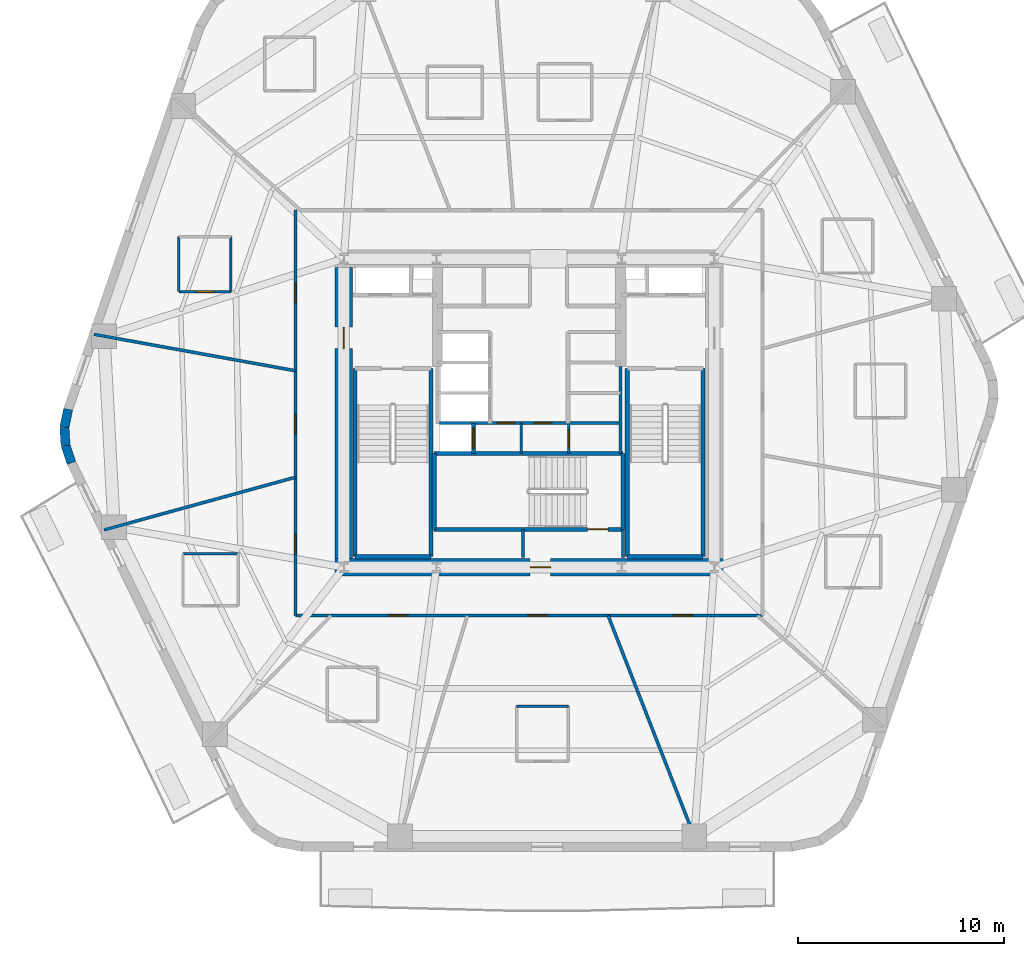
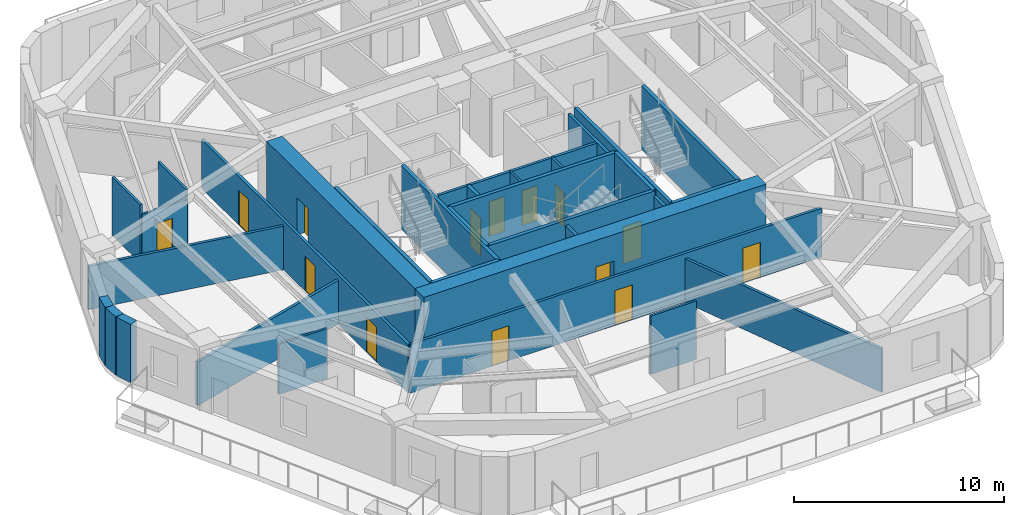
# One storey, part 3 of 9: 32 walls, 14 doors, 14 openings.
"""IFC4 building model written with IfcOpenShell, lengths in metres."""

from ifc_helpers import new_model, si_unit, direction, frame, frame_2d, origin, place, context, subcontext, project, spatial, rectangle, extrude, material, layer, layer_set, type_object, element, fill, save


model = new_model("IFC4")

# Units and contexts
model_context = context("Model", 3, precision=1e-05, world=origin(), true_north=direction((0.0, 1.0)))
body_context = subcontext(model_context, "Body", "Model", "MODEL_VIEW")
ifc_project = project(units=[si_unit("LENGTHUNIT", "METRE"), si_unit("AREAUNIT", "SQUARE_METRE"), si_unit("VOLUMEUNIT", "CUBIC_METRE"), si_unit("PLANEANGLEUNIT", "RADIAN"), si_unit("MASSUNIT", "GRAM", prefix="KILO")], contexts=[model_context])

# Site, building, storey
site_placement = place(None, origin())
site = spatial("IfcSite", under=ifc_project, at=site_placement, CompositionType="ELEMENT")
building_placement = place(site_placement, origin())
building = spatial("IfcBuilding", under=site, at=building_placement, Name="Kilnhurst Terrace Hotel", CompositionType="ELEMENT")
storey_placement = place(building_placement, frame((0.0, 0.0, 128.39990234375)))
storey = spatial("IfcBuildingStorey", under=building, at=storey_placement, Name="L31", CompositionType="ELEMENT", Elevation=128.39990234375)

# Walls
ifc_material_1 = material(Name="Precast concrete C40/50", Category="concrete")
ifc_layer_1 = layer(ifc_material_1, 0.449951171875, Name="Precast concrete C40/50")
ifc_layer_set_1 = layer_set([ifc_layer_1], Name="Precast concrete C40/50")
wall_type_1 = type_object("IfcWallType", Name="WL-BRK-450", PredefinedType="SOLIDWALL", material=ifc_layer_set_1)
wall_1_placement = place(storey_placement, frame((-22.39697265625, 0.17919921875, 0.0), z_axis=(0.0, 0.0, 1.0), x_axis=(-0.199313589404, -0.979935759669, 0.0)))
element("IfcWall", 1, at=wall_1_placement, inside=storey, type_object=wall_type_1, Name="L31 Rounded Corner Brick Wall C6.1", PredefinedType="SOLIDWALL", context=body_context, shape_type="SweptSolid", body=[
    extrude(rectangle(XDim=0.8955078125, YDim=0.449951171875, at=frame_2d((0.44775390625, 0.0))), origin(), (0.0, 0.0, 1.0), 3.400146484375),
])
wall_2_placement = place(storey_placement, frame((-22.575439453125, -0.6982421875, 0.0), z_axis=(0.0, 0.0, 1.0), x_axis=(0.060980441946, -0.998138961117, 0.0)))
element("IfcWall", 2, at=wall_2_placement, inside=storey, type_object=wall_type_1, Name="L31 Rounded Corner Brick Wall C6.2", PredefinedType="SOLIDWALL", context=body_context, shape_type="SweptSolid", body=[
    extrude(rectangle(XDim=0.880859375, YDim=0.449951171875, at=frame_2d((0.4404296875, 0.0))), origin(), (0.0, 0.0, 1.0), 3.400146484375),
])
wall_3_placement = place(storey_placement, frame((-22.521728515625, -1.577392578125, 0.0), z_axis=(0.0, 0.0, 1.0), x_axis=(0.317372694837, -0.948300887151, 0.0)))
element("IfcWall", 3, at=wall_3_placement, inside=storey, type_object=wall_type_1, Name="L31 Rounded Corner Brick Wall C6.3", PredefinedType="SOLIDWALL", context=body_context, shape_type="SweptSolid", body=[
    extrude(rectangle(XDim=0.8955078125, YDim=0.449951171875, at=frame_2d((0.44775390625, 0.0))), origin(), (0.0, 0.0, 1.0), 3.400146484375),
])

# Wall, openings, doors
ifc_material_2 = material(Name="Acoustic Double-Gypsum Corridor Partition Assembly")
ifc_layer_2 = layer(ifc_material_2, 0.14990234375, Name="Acoustic Double-Gypsum Corridor Partition Assembly")
ifc_layer_set_2 = layer_set([ifc_layer_2], Name="Acoustic Double-Gypsum Corridor Partition Assembly")
wall_type_2 = type_object("IfcWallType", Name="WL-COR-150", PredefinedType="PARTITIONING", material=ifc_layer_set_2)
wall_4_placement = place(storey_placement, frame((-11.35009765625, -9.85009765625, 0.0), z_axis=(0.0, 0.0, 1.0), x_axis=(0.0, 1.0, 0.0)))
wall_4 = element("IfcWall", 4, at=wall_4_placement, inside=storey, type_object=wall_type_2, Name="L31 Interior Wall WL-L31-COR-01", PredefinedType="PARTITIONING", context=body_context, shape_type="SweptSolid", body=[
    extrude(rectangle(XDim=19.7001953125, YDim=0.14990234375, at=frame_2d((9.85009765625, 0.0))), origin(), (0.0, 0.0, 1.0), 2.840087890625),
])
opening_1_placement = place(wall_4_placement, frame((15.205078125, 0.0, 0.0)))
opening_1 = element("IfcOpeningElement", 5, at=opening_1_placement, cuts=wall_4, Name="Opening D-60B", PredefinedType="OPENING", context=body_context, shape_type="SweptSolid", body=[
    extrude(rectangle(XDim=0.949951171875, YDim=2.030029296875, at=frame_2d((0.47509765625, 1.01513671875))), frame((0.0, 0.0849609375, 0.0), z_axis=(0.0, -1.0, 0.0), x_axis=(1.0, 0.0, 0.0)), (0.0, 0.0, 1.0), 0.169921875),
])
opening_2_placement = place(wall_4_placement, frame((8.8359375, 0.0, 0.0)))
opening_2 = element("IfcOpeningElement", 6, at=opening_2_placement, cuts=wall_4, Name="Opening D-60B", PredefinedType="OPENING", context=body_context, shape_type="SweptSolid", body=[
    extrude(rectangle(XDim=0.949951171875, YDim=2.030029296875, at=frame_2d((0.47509765625, 1.01513671875))), frame((0.0, 0.0849609375, 0.0), z_axis=(0.0, -1.0, 0.0), x_axis=(1.0, 0.0, 0.0)), (0.0, 0.0, 1.0), 0.169921875),
])
opening_3_placement = place(wall_4_placement, frame((3.008056640625, 0.0, 0.0)))
opening_3 = element("IfcOpeningElement", 7, at=opening_3_placement, cuts=wall_4, Name="Opening D-60B", PredefinedType="OPENING", context=body_context, shape_type="SweptSolid", body=[
    extrude(rectangle(XDim=0.949951171875, YDim=2.030029296875, at=frame_2d((0.47509765625, 1.01513671875))), frame((0.0, 0.0849609375, 0.0), z_axis=(0.0, -1.0, 0.0), x_axis=(1.0, 0.0, 0.0)), (0.0, 0.0, 1.0), 0.169921875),
])
ifc_material_3 = material(Name="Acoustic Walnut Veneer Solid-Core Fire Door")
door_type_1 = type_object("IfcDoorType", Name="DR-FD60-950", OperationType="NOTDEFINED", PredefinedType="DOOR", material=ifc_material_3)
door_1_placement = place(opening_1_placement, origin())
door_1 = element("IfcDoor", 8, at=door_1_placement, inside=storey, type_object=door_type_1, Name="L31 Executive Suite Entry Door 6", OperationType="SINGLE_SWING_RIGHT", OverallHeight=2.030029296875, OverallWidth=0.949951171875, PredefinedType="DOOR", context=body_context, shape_type="SweptSolid", body=[
    extrude(rectangle(XDim=0.949951171875, YDim=2.030029296875, at=frame_2d((0.47509765625, 1.01513671875))), frame((0.0, 0.02490234375, 0.0), z_axis=(0.0, -1.0, 0.0), x_axis=(1.0, 0.0, 0.0)), (0.0, 0.0, 1.0), 0.050048828125),
])
fill(opening_1, door_1)
door_2_placement = place(opening_2_placement, origin())
door_2 = element("IfcDoor", 9, at=door_2_placement, inside=storey, type_object=door_type_1, Name="L31 Executive Boardroom Door", OperationType="SINGLE_SWING_LEFT", OverallHeight=2.030029296875, OverallWidth=0.949951171875, PredefinedType="DOOR", context=body_context, shape_type="SweptSolid", body=[
    extrude(rectangle(XDim=0.949951171875, YDim=2.030029296875, at=frame_2d((0.47509765625, 1.01513671875))), frame((0.0, 0.02490234375, 0.0), z_axis=(0.0, -1.0, 0.0), x_axis=(1.0, 0.0, 0.0)), (0.0, 0.0, 1.0), 0.050048828125),
])
fill(opening_2, door_2)
door_3_placement = place(opening_3_placement, origin())
door_3 = element("IfcDoor", 10, at=door_3_placement, inside=storey, type_object=door_type_1, Name="L31 Executive Suite Entry Door 8", OperationType="SINGLE_SWING_RIGHT", OverallHeight=2.030029296875, OverallWidth=0.949951171875, PredefinedType="DOOR", context=body_context, shape_type="SweptSolid", body=[
    extrude(rectangle(XDim=0.949951171875, YDim=2.030029296875, at=frame_2d((0.47509765625, 1.01513671875))), frame((0.0, 0.02490234375, 0.0), z_axis=(0.0, -1.0, 0.0), x_axis=(1.0, 0.0, 0.0)), (0.0, 0.0, 1.0), 0.050048828125),
])
fill(opening_3, door_3)

wall_5_placement = place(storey_placement, frame((11.35009765625, -9.85009765625, 0.0), z_axis=(0.0, 0.0, 1.0), x_axis=(-1.0, 0.0, 0.0)))
wall_5 = element("IfcWall", 11, at=wall_5_placement, inside=storey, type_object=wall_type_2, Name="L31 Interior Wall WL-L31-COR-04", PredefinedType="PARTITIONING", context=body_context, shape_type="SweptSolid", body=[
    extrude(rectangle(XDim=22.7001953125, YDim=0.14990234375, at=frame_2d((11.35009765625, 0.0))), origin(), (0.0, 0.0, 1.0), 2.840087890625),
])
opening_4_placement = place(wall_5_placement, frame((17.237060546875, 0.0, 0.0)))
opening_4 = element("IfcOpeningElement", 12, at=opening_4_placement, cuts=wall_5, Name="Opening D-60B", PredefinedType="OPENING", context=body_context, shape_type="SweptSolid", body=[
    extrude(rectangle(XDim=0.949951171875, YDim=2.030029296875, at=frame_2d((0.47509765625, 1.01513671875))), frame((0.0, 0.0849609375, 0.0), z_axis=(0.0, -1.0, 0.0), x_axis=(1.0, 0.0, 0.0)), (0.0, 0.0, 1.0), 0.169921875),
])
opening_5_placement = place(wall_5_placement, frame((10.449951171875, 0.0, 0.0)))
opening_5 = element("IfcOpeningElement", 13, at=opening_5_placement, cuts=wall_5, Name="Opening D-60B", PredefinedType="OPENING", context=body_context, shape_type="SweptSolid", body=[
    extrude(rectangle(XDim=0.949951171875, YDim=2.030029296875, at=frame_2d((0.47509765625, 1.01513671875))), frame((0.0, 0.0849609375, 0.0), z_axis=(0.0, -1.0, 0.0), x_axis=(1.0, 0.0, 0.0)), (0.0, 0.0, 1.0), 0.169921875),
])
opening_6_placement = place(wall_5_placement, frame((3.39892578125, 0.0, 0.0)))
opening_6 = element("IfcOpeningElement", 14, at=opening_6_placement, cuts=wall_5, Name="Opening D-60B", PredefinedType="OPENING", context=body_context, shape_type="SweptSolid", body=[
    extrude(rectangle(XDim=0.949951171875, YDim=2.030029296875, at=frame_2d((0.47509765625, 1.01513671875))), frame((0.0, 0.0849609375, 0.0), z_axis=(0.0, -1.0, 0.0), x_axis=(1.0, 0.0, 0.0)), (0.0, 0.0, 1.0), 0.169921875),
])
door_4_placement = place(opening_4_placement, origin())
door_4 = element("IfcDoor", 15, at=door_4_placement, inside=storey, type_object=door_type_1, Name="L31 Executive Suite Entry Door 9", OperationType="SINGLE_SWING_LEFT", OverallHeight=2.030029296875, OverallWidth=0.949951171875, PredefinedType="DOOR", context=body_context, shape_type="SweptSolid", body=[
    extrude(rectangle(XDim=0.949951171875, YDim=2.030029296875, at=frame_2d((0.47509765625, 1.01513671875))), frame((0.0, 0.02490234375, 0.0), z_axis=(0.0, -1.0, 0.0), x_axis=(1.0, 0.0, 0.0)), (0.0, 0.0, 1.0), 0.050048828125),
])
fill(opening_4, door_4)
door_5_placement = place(opening_5_placement, origin())
door_5 = element("IfcDoor", 16, at=door_5_placement, inside=storey, type_object=door_type_1, Name="L31 Executive Suite Entry Door 10", OperationType="SINGLE_SWING_RIGHT", OverallHeight=2.030029296875, OverallWidth=0.949951171875, PredefinedType="DOOR", context=body_context, shape_type="SweptSolid", body=[
    extrude(rectangle(XDim=0.949951171875, YDim=2.030029296875, at=frame_2d((0.47509765625, 1.01513671875))), frame((0.0, 0.02490234375, 0.0), z_axis=(0.0, -1.0, 0.0), x_axis=(1.0, 0.0, 0.0)), (0.0, 0.0, 1.0), 0.050048828125),
])
fill(opening_5, door_5)
door_6_placement = place(opening_6_placement, origin())
door_6 = element("IfcDoor", 17, at=door_6_placement, inside=storey, type_object=door_type_1, Name="L31 Private Dining Room Door", OperationType="SINGLE_SWING_LEFT", OverallHeight=2.030029296875, OverallWidth=0.949951171875, PredefinedType="DOOR", context=body_context, shape_type="SweptSolid", body=[
    extrude(rectangle(XDim=0.949951171875, YDim=2.030029296875, at=frame_2d((0.47509765625, 1.01513671875))), frame((0.0, 0.02490234375, 0.0), z_axis=(0.0, -1.0, 0.0), x_axis=(1.0, 0.0, 0.0)), (0.0, 0.0, 1.0), 0.050048828125),
])
fill(opening_6, door_6)

# Wall, opening, door
ifc_material_4 = material(Name="Concrete C80/95", Category="concrete")
ifc_layer_3 = layer(ifc_material_4, 0.85009765625, Name="Concrete C80/95")
ifc_layer_set_3 = layer_set([ifc_layer_3], Name="Concrete C80/95")
wall_type_3 = type_object("IfcWallType", Name="WL-CORE-850", PredefinedType="SHEAR", material=ifc_layer_set_3)
wall_6_placement = place(storey_placement, frame((-9.425048828125, -7.5, 0.0), z_axis=(0.0, 0.0, 1.0), x_axis=(1.0, 0.0, 0.0)))
wall_6 = element("IfcWall", 18, at=wall_6_placement, inside=storey, type_object=wall_type_3, Name="L31 Core South Shear Wall", PredefinedType="SHEAR", context=body_context, shape_type="SweptSolid", body=[
    extrude(rectangle(XDim=18.85009765625, YDim=0.85009765625, at=frame_2d((9.425048828125, 0.0))), origin(), (0.0, 0.0, 1.0), 3.7001953125),
])
opening_7_placement = place(wall_6_placement, frame((9.47509765625, 0.0, 0.0)))
opening_7 = element("IfcOpeningElement", 19, at=opening_7_placement, cuts=wall_6, Name="Opening D-90B", PredefinedType="OPENING", context=body_context, shape_type="SweptSolid", body=[
    extrude(rectangle(XDim=1.0, YDim=2.14990234375, at=frame_2d((0.5, 1.074951171875))), frame((0.0, 0.43505859375, 0.0), z_axis=(0.0, -1.0, 0.0), x_axis=(1.0, 0.0, 0.0)), (0.0, 0.0, 1.0), 0.8701171875),
])
ifc_material_5 = material(Name="Painted Hollow Metal Steel ASTM A36 Fire Door", Category="steel")
door_type_2 = type_object("IfcDoorType", Name="DR-FD90-1000", OperationType="NOTDEFINED", PredefinedType="DOOR", material=ifc_material_5)
door_7_placement = place(opening_7_placement, origin())
door_7 = element("IfcDoor", 20, at=door_7_placement, inside=storey, type_object=door_type_2, Name="L31 Stair ST-3 Corridor Door", OperationType="SINGLE_SWING_RIGHT", OverallHeight=2.14990234375, OverallWidth=1.0, PredefinedType="DOOR", context=body_context, shape_type="SweptSolid", body=[
    extrude(rectangle(XDim=1.0, YDim=2.14990234375, at=frame_2d((0.5, 1.074951171875))), frame((0.0, 0.02490234375, 0.0), z_axis=(0.0, -1.0, 0.0), x_axis=(1.0, 0.0, 0.0)), (0.0, 0.0, 1.0), 0.050048828125),
])
fill(opening_7, door_7)

wall_7_placement = place(storey_placement, frame((-9.0, -7.074951171875, 0.0), z_axis=(0.0, 0.0, 1.0), x_axis=(0.0, 1.0, 0.0)))
wall_7 = element("IfcWall", 21, at=wall_7_placement, inside=storey, type_object=wall_type_3, Name="L31 Core West Shear Wall", PredefinedType="SHEAR", context=body_context, shape_type="SweptSolid", body=[
    extrude(rectangle(XDim=14.14990234375, YDim=0.85009765625, at=frame_2d((7.074951171875, 0.0))), origin(), (0.0, 0.0, 1.0), 3.7001953125),
])
opening_8_placement = place(wall_7_placement, frame((10.199951171875, 0.0, 0.0)))
opening_8 = element("IfcOpeningElement", 22, at=opening_8_placement, cuts=wall_7, Name="Opening D-90A", PredefinedType="OPENING", context=body_context, shape_type="SweptSolid", body=[
    extrude(rectangle(XDim=1.050048828125, YDim=2.14990234375, at=frame_2d((0.52490234375, 1.074951171875))), frame((0.0, 0.43505859375, 0.0), z_axis=(0.0, -1.0, 0.0), x_axis=(1.0, 0.0, 0.0)), (0.0, 0.0, 1.0), 0.8701171875),
])
door_type_3 = type_object("IfcDoorType", Name="DR-FD90-1050", OperationType="NOTDEFINED", PredefinedType="DOOR", material=ifc_material_5)
door_8_placement = place(opening_8_placement, origin())
door_8 = element("IfcDoor", 23, at=door_8_placement, inside=storey, type_object=door_type_3, Name="L31 West Firefighting Lobby Door", OperationType="SINGLE_SWING_RIGHT", OverallHeight=2.14990234375, OverallWidth=1.050048828125, PredefinedType="DOOR", context=body_context, shape_type="SweptSolid", body=[
    extrude(rectangle(XDim=1.050048828125, YDim=2.14990234375, at=frame_2d((0.52490234375, 1.074951171875))), frame((0.0, 0.02490234375, 0.0), z_axis=(0.0, -1.0, 0.0), x_axis=(1.0, 0.0, 0.0)), (0.0, 0.0, 1.0), 0.050048828125),
])
fill(opening_8, door_8)

# Walls
ifc_material_6 = material(Name="STC-58 Acoustic Twin-Frame Guestroom Demising Partition")
ifc_layer_4 = layer(ifc_material_6, 0.14990234375, Name="STC-58 Acoustic Twin-Frame Guestroom Demising Partition")
ifc_layer_set_4 = layer_set([ifc_layer_4], Name="STC-58 Acoustic Twin-Frame Guestroom Demising Partition")
wall_type_4 = type_object("IfcWallType", Name="WL-DEM-150", PredefinedType="PARTITIONING", material=ifc_layer_set_4)
wall_8_placement = place(storey_placement, frame((-11.35009765625, 2.05078125, 0.0), z_axis=(0.0, 0.0, 1.0), x_axis=(-0.984068313063, 0.177790762484, 0.0)))
element("IfcWall", 24, at=wall_8_placement, inside=storey, type_object=wall_type_4, Name="L31 Interior Wall WL-L31-DEM-COL06-07-1", PredefinedType="PARTITIONING", context=body_context, shape_type="SweptSolid", body=[
    extrude(rectangle(XDim=9.951416015625, YDim=0.14990234375, at=frame_2d((4.9755859375, 0.0))), origin(), (0.0, 0.0, 1.0), 2.5400390625),
])
wall_9_placement = place(storey_placement, frame((-11.35009765625, -3.123291015625, 0.0), z_axis=(0.0, 0.0, 1.0), x_axis=(-0.964151983214, -0.265350623261, 0.0)))
element("IfcWall", 25, at=wall_9_placement, inside=storey, type_object=wall_type_4, Name="L31 Interior Wall WL-L31-DEM-COL07-08-1", PredefinedType="PARTITIONING", context=body_context, shape_type="SweptSolid", body=[
    extrude(rectangle(XDim=9.64501953125, YDim=0.14990234375, at=frame_2d((4.822509765625, 0.0))), origin(), (0.0, 0.0, 1.0), 2.5400390625),
])
wall_10_placement = place(storey_placement, frame((3.84228515625, -9.85009765625, 0.0), z_axis=(0.0, 0.0, 1.0), x_axis=(0.363432685593, -0.931620460833, 0.0)))
element("IfcWall", 26, at=wall_10_placement, inside=storey, type_object=wall_type_4, Name="L31 Interior Wall WL-L31-DEM-COL10-11-1", PredefinedType="PARTITIONING", context=body_context, shape_type="SweptSolid", body=[
    extrude(rectangle(XDim=12.048828125, YDim=0.14990234375, at=frame_2d((6.0244140625, 0.0))), origin(), (0.0, 0.0, 1.0), 2.5400390625),
])
ifc_material_7 = material(Name="120 mm Moisture-Resistant Tile-Backed Bathroom Partition")
ifc_layer_5 = layer(ifc_material_7, 0.1201171875, Name="120 mm Moisture-Resistant Tile-Backed Bathroom Partition")
ifc_layer_set_5 = layer_set([ifc_layer_5], Name="120 mm Moisture-Resistant Tile-Backed Bathroom Partition")
wall_type_5 = type_object("IfcWallType", Name="WL-PART-120", PredefinedType="PARTITIONING", material=ifc_layer_set_5)
wall_11_placement = place(storey_placement, frame((-0.3798828125, -1.971923828125, 0.0), z_axis=(0.0, 0.0, 1.0), x_axis=(0.0, 1.0, 0.0)))
element("IfcWall", 27, at=wall_11_placement, inside=storey, type_object=wall_type_5, Name="L31 Interior Wall WL-L31-BOH-C1", PredefinedType="PARTITIONING", context=body_context, shape_type="SweptSolid", body=[
    extrude(rectangle(XDim=1.471923828125, YDim=0.1201171875, at=frame_2d((0.73583984375, 0.0))), origin(), (0.0, 0.0, 1.0), 3.400146484375),
])

# Wall, opening, door
wall_12_placement = place(storey_placement, frame((1.919921875, -1.971923828125, 0.0), z_axis=(0.0, 0.0, 1.0), x_axis=(0.0, 1.0, 0.0)))
wall_12 = element("IfcWall", 28, at=wall_12_placement, inside=storey, type_object=wall_type_5, Name="L31 Interior Wall WL-L31-BOH-C2", PredefinedType="PARTITIONING", context=body_context, shape_type="SweptSolid", body=[
    extrude(rectangle(XDim=1.471923828125, YDim=0.1201171875, at=frame_2d((0.73583984375, 0.0))), origin(), (0.0, 0.0, 1.0), 3.400146484375),
])
opening_9_placement = place(wall_12_placement, frame((0.300048828125, 0.0, 0.0)))
opening_9 = element("IfcOpeningElement", 29, at=opening_9_placement, cuts=wall_12, Name="Opening D-08A", PredefinedType="OPENING", context=body_context, shape_type="SweptSolid", body=[
    extrude(rectangle(XDim=0.85009765625, YDim=2.030029296875, at=frame_2d((0.425048828125, 1.01513671875))), frame((0.0, 0.070068359375, 0.0), z_axis=(0.0, -1.0, 0.0), x_axis=(1.0, 0.0, 0.0)), (0.0, 0.0, 1.0), 0.14013671875),
])
ifc_material_8 = material(Name="Moisture-Resistant Lacquered En-suite Bathroom Door")
door_type_4 = type_object("IfcDoorType", Name="DR-INT-850", OperationType="NOTDEFINED", PredefinedType="DOOR", material=ifc_material_8)
door_9_placement = place(opening_9_placement, origin())
door_9 = element("IfcDoor", 30, at=door_9_placement, inside=storey, type_object=door_type_4, Name="L31 Staff Restroom Door", OperationType="SINGLE_SWING_RIGHT", OverallHeight=2.030029296875, OverallWidth=0.85009765625, PredefinedType="DOOR", context=body_context, shape_type="SweptSolid", body=[
    extrude(rectangle(XDim=0.85009765625, YDim=2.030029296875, at=frame_2d((0.425048828125, 1.01513671875))), frame((0.0, 0.02490234375, 0.0), z_axis=(0.0, -1.0, 0.0), x_axis=(1.0, 0.0, 0.0)), (0.0, 0.0, 1.0), 0.050048828125),
])
fill(opening_9, door_9)

wall_13_placement = place(storey_placement, frame((-17.013916015625, 5.889892578125, 0.0), z_axis=(0.0, 0.0, 1.0), x_axis=(1.0, 0.0, 0.0)))
wall_13 = element("IfcWall", 31, at=wall_13_placement, inside=storey, type_object=wall_type_5, Name="L31 Interior Wall WL-L31-BTH-06-1", PredefinedType="PARTITIONING", context=body_context, shape_type="SweptSolid", body=[
    extrude(rectangle(XDim=2.52001953125, YDim=0.1201171875, at=frame_2d((1.260009765625, 0.0))), origin(), (0.0, 0.0, 1.0), 2.840087890625),
])
opening_10_placement = place(wall_13_placement, frame((0.8349609375, 0.0, 0.0)))
opening_10 = element("IfcOpeningElement", 32, at=opening_10_placement, cuts=wall_13, Name="Opening D-08A", PredefinedType="OPENING", context=body_context, shape_type="SweptSolid", body=[
    extrude(rectangle(XDim=0.85009765625, YDim=2.030029296875, at=frame_2d((0.425048828125, 1.01513671875))), frame((0.0, 0.070068359375, 0.0), z_axis=(0.0, -1.0, 0.0), x_axis=(1.0, 0.0, 0.0)), (0.0, 0.0, 1.0), 0.14013671875),
])
door_10_placement = place(opening_10_placement, origin())
door_10 = element("IfcDoor", 33, at=door_10_placement, inside=storey, type_object=door_type_4, Name="L31 En-suite Bathroom Door 6", OperationType="SINGLE_SWING_LEFT", OverallHeight=2.030029296875, OverallWidth=0.85009765625, PredefinedType="DOOR", context=body_context, shape_type="SweptSolid", body=[
    extrude(rectangle(XDim=0.85009765625, YDim=2.030029296875, at=frame_2d((0.425048828125, 1.01513671875))), frame((0.0, 0.02490234375, 0.0), z_axis=(0.0, -1.0, 0.0), x_axis=(1.0, 0.0, 0.0)), (0.0, 0.0, 1.0), 0.050048828125),
])
fill(opening_10, door_10)

# Walls
for number, where, z_axis, x_axis, name in (
    (34, (-14.493896484375, 5.889892578125, 0.0), (0.0, 0.0, 1.0), (0.0, 1.0, 0.0), "L31 Interior Wall WL-L31-BTH-06-2"),
    (35, (-17.013916015625, 8.570068359375, 0.0), (0.0, 0.0, 1.0), (0.0, -1.0, 0.0), "L31 Interior Wall WL-L31-BTH-06-4"),
):
    element("IfcWall", number, at=place(storey_placement, frame(where, z_axis=z_axis, x_axis=x_axis)), inside=storey, type_object=wall_type_5, Name=name, PredefinedType="PARTITIONING", context=body_context, shape_type="SweptSolid", body=[
        extrude(rectangle(XDim=2.68017578125, YDim=0.1201171875, at=frame_2d((1.340087890625, 0.0))), origin(), (0.0, 0.0, 1.0), 3.400146484375),
    ])
wall_14_placement = place(storey_placement, frame((-14.135009765625, -6.8349609375, 0.0), z_axis=(0.0, 0.0, 1.0), x_axis=(-1.0, 0.0, 0.0)))
element("IfcWall", 36, at=wall_14_placement, inside=storey, type_object=wall_type_5, Name="L31 Interior Wall WL-L31-BTH-08-3", PredefinedType="PARTITIONING", context=body_context, shape_type="SweptSolid", body=[
    extrude(rectangle(XDim=2.679931640625, YDim=0.1201171875, at=frame_2d((1.33984375, 0.0))), origin(), (0.0, 0.0, 1.0), 2.926513671875),
])
wall_15_placement = place(storey_placement, frame((1.912109375, -14.2470703125, 0.0), z_axis=(0.0, 0.0, 1.0), x_axis=(-1.0, 0.0, 0.0)))
element("IfcWall", 37, at=wall_15_placement, inside=storey, type_object=wall_type_5, Name="L31 Interior Wall WL-L31-BTH-10-3", PredefinedType="PARTITIONING", context=body_context, shape_type="SweptSolid", body=[
    extrude(rectangle(XDim=2.52001953125, YDim=0.1201171875, at=frame_2d((1.260009765625, 0.0))), origin(), (0.0, 0.0, 1.0), 3.400146484375),
])
ifc_material_9 = material(Name="Fire-Rated Gypsum Shaftliner Assembly")
ifc_layer_6 = layer(ifc_material_9, 0.14990234375, Name="Fire-Rated Gypsum Shaftliner Assembly")
ifc_layer_set_6 = layer_set([ifc_layer_6], Name="Fire-Rated Gypsum Shaftliner Assembly")
wall_type_6 = type_object("IfcWallType", Name="WL-SHAFT-150", PredefinedType="PARTITIONING", material=ifc_layer_set_6)
for number, where, z_axis, x_axis, name in (
    (38, (-0.300048828125, -7.02001953125, 0.0), (0.0, 0.0, 1.0), (0.0, 1.0, 0.0), "L31 Interior Wall WL-L31-ST3-PSGW"),
    (39, (4.55810546875, -7.02001953125, 0.0), (0.0, 0.0, 1.0), (0.0, 1.0, 0.0), "L31 Interior Wall WL-L31-ST3-PSGE"),
):
    element("IfcWall", number, at=place(storey_placement, frame(where, z_axis=z_axis, x_axis=x_axis)), inside=storey, type_object=wall_type_6, Name=name, PredefinedType="PARTITIONING", context=body_context, shape_type="SweptSolid", body=[
        extrude(rectangle(XDim=1.362060546875, YDim=0.14990234375, at=frame_2d((0.68115234375, 0.0))), origin(), (0.0, 0.0, 1.0), 3.400146484375),
    ])
wall_16_placement = place(storey_placement, frame((4.449951171875, -1.971923828125, 0.0), z_axis=(0.0, 0.0, 1.0), x_axis=(0.0, 1.0, 0.0)))
element("IfcWall", 40, at=wall_16_placement, inside=storey, type_object=wall_type_6, Name="L31 Interior Wall WL-L31-XLOB-E", PredefinedType="PARTITIONING", context=body_context, shape_type="SweptSolid", body=[
    extrude(rectangle(XDim=4.221923828125, YDim=0.14990234375, at=frame_2d((2.11083984375, 0.0))), origin(), (0.0, 0.0, 1.0), 3.400146484375),
])

# Wall, openings, doors
wall_17_placement = place(storey_placement, frame((-4.360107421875, -0.489990234375, 0.0), z_axis=(0.0, 0.0, 1.0), x_axis=(1.0, 0.0, 0.0)))
wall_17 = element("IfcWall", 41, at=wall_17_placement, inside=storey, type_object=wall_type_6, Name="L31 Interior Wall WL-L31-BOH-N", PredefinedType="PARTITIONING", context=body_context, shape_type="SweptSolid", body=[
    extrude(rectangle(XDim=8.72021484375, YDim=0.14990234375, at=frame_2d((4.360107421875, 0.0))), origin(), (0.0, 0.0, 1.0), 3.400146484375),
])
opening_11_placement = place(wall_17_placement, frame((2.81005859375, 0.0, 0.0)))
opening_11 = element("IfcOpeningElement", 42, at=opening_11_placement, cuts=wall_17, Name="Opening D-60D", PredefinedType="OPENING", context=body_context, shape_type="SweptSolid", body=[
    extrude(rectangle(XDim=0.85009765625, YDim=2.030029296875, at=frame_2d((0.425048828125, 1.01513671875))), frame((0.0, 0.0849609375, 0.0), z_axis=(0.0, -1.0, 0.0), x_axis=(1.0, 0.0, 0.0)), (0.0, 0.0, 1.0), 0.169921875),
])
opening_12_placement = place(wall_17_placement, frame((4.610107421875, 0.0, 0.0)))
opening_12 = element("IfcOpeningElement", 43, at=opening_12_placement, cuts=wall_17, Name="Opening D-60D", PredefinedType="OPENING", context=body_context, shape_type="SweptSolid", body=[
    extrude(rectangle(XDim=0.85009765625, YDim=2.030029296875, at=frame_2d((0.425048828125, 1.01513671875))), frame((0.0, 0.0849609375, 0.0), z_axis=(0.0, -1.0, 0.0), x_axis=(1.0, 0.0, 0.0)), (0.0, 0.0, 1.0), 0.169921875),
])
ifc_material_10 = material(Name="Painted Hollow Metal Steel ASTM A36 Riser Door", Category="steel")
door_type_5 = type_object("IfcDoorType", Name="DR-FD60-850", OperationType="NOTDEFINED", PredefinedType="DOOR", material=ifc_material_10)
door_11_placement = place(opening_11_placement, origin())
door_11 = element("IfcDoor", 44, at=door_11_placement, inside=storey, type_object=door_type_5, Name="L31 Housekeeping Station Door", OperationType="SINGLE_SWING_LEFT", OverallHeight=2.030029296875, OverallWidth=0.85009765625, PredefinedType="DOOR", context=body_context, shape_type="SweptSolid", body=[
    extrude(rectangle(XDim=0.85009765625, YDim=2.030029296875, at=frame_2d((0.425048828125, 1.01513671875))), frame((0.0, 0.02490234375, 0.0), z_axis=(0.0, -1.0, 0.0), x_axis=(1.0, 0.0, 0.0)), (0.0, 0.0, 1.0), 0.050048828125),
])
fill(opening_11, door_11)
door_12_placement = place(opening_12_placement, origin())
door_12 = element("IfcDoor", 45, at=door_12_placement, inside=storey, type_object=door_type_5, Name="L31 Beverage Pantry Door", OperationType="SINGLE_SWING_RIGHT", OverallHeight=2.030029296875, OverallWidth=0.85009765625, PredefinedType="DOOR", context=body_context, shape_type="SweptSolid", body=[
    extrude(rectangle(XDim=0.85009765625, YDim=2.030029296875, at=frame_2d((0.425048828125, 1.01513671875))), frame((0.0, 0.02490234375, 0.0), z_axis=(0.0, -1.0, 0.0), x_axis=(1.0, 0.0, 0.0)), (0.0, 0.0, 1.0), 0.050048828125),
])
fill(opening_12, door_12)

# Wall, opening, door
ifc_material_11 = material(Name="Autoclaved Aerated Concrete C30/37 and Gypsum Shaft Assembly", Category="concrete")
ifc_layer_7 = layer(ifc_material_11, 0.199951171875, Name="Autoclaved Aerated Concrete C30/37 and Gypsum Shaft Assembly")
ifc_layer_set_7 = layer_set([ifc_layer_7], Name="Autoclaved Aerated Concrete C30/37 and Gypsum Shaft Assembly")
wall_type_7 = type_object("IfcWallType", Name="WL-SHAFT-200", PredefinedType="PARTITIONING", material=ifc_layer_set_7)
wall_18_placement = place(storey_placement, frame((-2.699951171875, -1.971923828125, 0.0), z_axis=(0.0, 0.0, 1.0), x_axis=(0.0, 1.0, 0.0)))
wall_18 = element("IfcWall", 46, at=wall_18_placement, inside=storey, type_object=wall_type_7, Name="L31 Interior Wall WL-L31-SRV1-E", PredefinedType="PARTITIONING", context=body_context, shape_type="SweptSolid", body=[
    extrude(rectangle(XDim=1.471923828125, YDim=0.199951171875, at=frame_2d((0.73583984375, 0.0))), origin(), (0.0, 0.0, 1.0), 3.400146484375),
])
opening_13_placement = place(wall_18_placement, frame((0.239990234375, 0.0, 0.0)))
opening_13 = element("IfcOpeningElement", 47, at=opening_13_placement, cuts=wall_18, Name="Opening LD-SV", PredefinedType="OPENING", context=body_context, shape_type="SweptSolid", body=[
    extrude(rectangle(XDim=1.0, YDim=2.199951171875, at=frame_2d((0.5, 1.10009765625))), frame((0.0, 0.10986328125, 0.0), z_axis=(0.0, -1.0, 0.0), x_axis=(1.0, 0.0, 0.0)), (0.0, 0.0, 1.0), 0.219970703125),
])
ifc_material_12 = material(Name="Bronze-Anodized Stainless Steel AISI 316L Sliding Door", Category="steel")
door_type_6 = type_object("IfcDoorType", Name="DR-LIFT-1000", OperationType="NOTDEFINED", PredefinedType="DOOR", material=ifc_material_12)
door_13_placement = place(opening_13_placement, origin())
door_13 = element("IfcDoor", 48, at=door_13_placement, inside=storey, type_object=door_type_6, Name="L31 Service Lift SRV-1 Landing Door", OperationType="SLIDING_TO_LEFT", OverallHeight=2.199951171875, OverallWidth=1.0, PredefinedType="DOOR", context=body_context, shape_type="SweptSolid", body=[
    extrude(rectangle(XDim=1.0, YDim=2.199951171875, at=frame_2d((0.5, 1.10009765625))), frame((0.0, 0.02490234375, 0.0), z_axis=(0.0, -1.0, 0.0), x_axis=(1.0, 0.0, 0.0)), (0.0, 0.0, 1.0), 0.050048828125),
])
fill(opening_13, door_13)

# Walls
ifc_material_13 = material(Name="Concrete C50/60", Category="concrete")
ifc_layer_8 = layer(ifc_material_13, 0.199951171875, Name="Concrete C50/60")
ifc_layer_set_8 = layer_set([ifc_layer_8], Name="Concrete C50/60")
wall_type_8 = type_object("IfcWallType", Name="WL-STAIR-RC-200", PredefinedType="SHEAR", material=ifc_layer_set_8)
for number, where, z_axis, x_axis, name in (
    (49, (-8.4580078125, -6.985107421875, 0.0), (0.0, 0.0, 1.0), (0.0, 1.0, 0.0), "L31 Structural Stair Shaft Wall WL-L31-ST1-W"),
    (50, (-4.77197265625, -6.985107421875, 0.0), (0.0, 0.0, 1.0), (0.0, 1.0, 0.0), "L31 Structural Stair Shaft Wall WL-L31-ST1-E"),
):
    element("IfcWall", number, at=place(storey_placement, frame(where, z_axis=z_axis, x_axis=x_axis)), inside=storey, type_object=wall_type_8, Name=name, PredefinedType="SHEAR", context=body_context, shape_type="SweptSolid", body=[
        extrude(rectangle(XDim=9.14306640625, YDim=0.199951171875, at=frame_2d((4.571533203125, 0.0))), origin(), (0.0, 0.0, 1.0), 3.7001953125),
    ])
wall_19_placement = place(storey_placement, frame((-8.4580078125, -6.985107421875, 0.0), z_axis=(0.0, 0.0, 1.0), x_axis=(1.0, 0.0, 0.0)))
element("IfcWall", 51, at=wall_19_placement, inside=storey, type_object=wall_type_8, Name="L31 Structural Stair Shaft Wall WL-L31-ST1-S", PredefinedType="SHEAR", context=body_context, shape_type="SweptSolid", body=[
    extrude(rectangle(XDim=3.68603515625, YDim=0.199951171875, at=frame_2d((1.843017578125, 0.0))), origin(), (0.0, 0.0, 1.0), 3.7001953125),
])
for number, where, z_axis, x_axis, name in (
    (52, (4.77197265625, -6.985107421875, 0.0), (0.0, 0.0, 1.0), (0.0, 1.0, 0.0), "L31 Structural Stair Shaft Wall WL-L31-ST2-W"),
    (53, (8.4580078125, -6.985107421875, 0.0), (0.0, 0.0, 1.0), (0.0, 1.0, 0.0), "L31 Structural Stair Shaft Wall WL-L31-ST2-E"),
):
    element("IfcWall", number, at=place(storey_placement, frame(where, z_axis=z_axis, x_axis=x_axis)), inside=storey, type_object=wall_type_8, Name=name, PredefinedType="SHEAR", context=body_context, shape_type="SweptSolid", body=[
        extrude(rectangle(XDim=9.14306640625, YDim=0.199951171875, at=frame_2d((4.571533203125, 0.0))), origin(), (0.0, 0.0, 1.0), 3.7001953125),
    ])
for number, where, z_axis, x_axis, name in (
    (54, (4.77197265625, -6.985107421875, 0.0), (0.0, 0.0, 1.0), (1.0, 0.0, 0.0), "L31 Structural Stair Shaft Wall WL-L31-ST2-S"),
    (55, (-4.60791015625, -5.657958984375, 0.0), (0.0, 0.0, 1.0), (0.0, 1.0, 0.0), "L31 Structural Stair Shaft Wall WL-L31-ST3-W"),
):
    element("IfcWall", number, at=place(storey_placement, frame(where, z_axis=z_axis, x_axis=x_axis)), inside=storey, type_object=wall_type_8, Name=name, PredefinedType="SHEAR", context=body_context, shape_type="SweptSolid", body=[
        extrude(rectangle(XDim=3.68603515625, YDim=0.199951171875, at=frame_2d((1.843017578125, 0.0))), origin(), (0.0, 0.0, 1.0), 3.7001953125),
    ])

# Wall, opening, door
wall_20_placement = place(storey_placement, frame((-4.60791015625, -5.657958984375, 0.0), z_axis=(0.0, 0.0, 1.0), x_axis=(1.0, 0.0, 0.0)))
wall_20 = element("IfcWall", 56, at=wall_20_placement, inside=storey, type_object=wall_type_8, Name="L31 Structural Stair Shaft Wall WL-L31-ST3-S", PredefinedType="SHEAR", context=body_context, shape_type="SweptSolid", body=[
    extrude(rectangle(XDim=9.166015625, YDim=0.199951171875, at=frame_2d((4.5830078125, 0.0))), origin(), (0.0, 0.0, 1.0), 3.7001953125),
])
opening_14_placement = place(wall_20_placement, frame((7.449951171875, 0.0, 0.0)))
opening_14 = element("IfcOpeningElement", 57, at=opening_14_placement, cuts=wall_20, Name="Opening D-90B", PredefinedType="OPENING", context=body_context, shape_type="SweptSolid", body=[
    extrude(rectangle(XDim=1.0, YDim=2.14990234375, at=frame_2d((0.5, 1.074951171875))), frame((0.0, 0.10986328125, 0.0), z_axis=(0.0, -1.0, 0.0), x_axis=(1.0, 0.0, 0.0)), (0.0, 0.0, 1.0), 0.219970703125),
])
door_14_placement = place(opening_14_placement, origin())
door_14 = element("IfcDoor", 58, at=door_14_placement, inside=storey, type_object=door_type_2, Name="L31 Stair ST-3 Shaft Door", OperationType="SINGLE_SWING_LEFT", OverallHeight=2.14990234375, OverallWidth=1.0, PredefinedType="DOOR", context=body_context, shape_type="SweptSolid", body=[
    extrude(rectangle(XDim=1.0, YDim=2.14990234375, at=frame_2d((0.5, 1.074951171875))), frame((0.0, 0.02490234375, 0.0), z_axis=(0.0, -1.0, 0.0), x_axis=(1.0, 0.0, 0.0)), (0.0, 0.0, 1.0), 0.050048828125),
])
fill(opening_14, door_14)

# Walls
wall_21_placement = place(storey_placement, frame((-4.60791015625, -1.971923828125, 0.0), z_axis=(0.0, 0.0, 1.0), x_axis=(1.0, 0.0, 0.0)))
element("IfcWall", 59, at=wall_21_placement, inside=storey, type_object=wall_type_8, Name="L31 Structural Stair Shaft Wall WL-L31-ST3-N", PredefinedType="SHEAR", context=body_context, shape_type="SweptSolid", body=[
    extrude(rectangle(XDim=9.166015625, YDim=0.199951171875, at=frame_2d((4.5830078125, 0.0))), origin(), (0.0, 0.0, 1.0), 3.7001953125),
])
wall_22_placement = place(storey_placement, frame((4.55810546875, -5.657958984375, 0.0), z_axis=(0.0, 0.0, 1.0), x_axis=(0.0, 1.0, 0.0)))
element("IfcWall", 60, at=wall_22_placement, inside=storey, type_object=wall_type_8, Name="L31 Structural Stair Shaft Wall WL-L31-ST3-E", PredefinedType="SHEAR", context=body_context, shape_type="SweptSolid", body=[
    extrude(rectangle(XDim=3.68603515625, YDim=0.199951171875, at=frame_2d((1.843017578125, 0.0))), origin(), (0.0, 0.0, 1.0), 3.7001953125),
])

save(model, "model.ifc")
